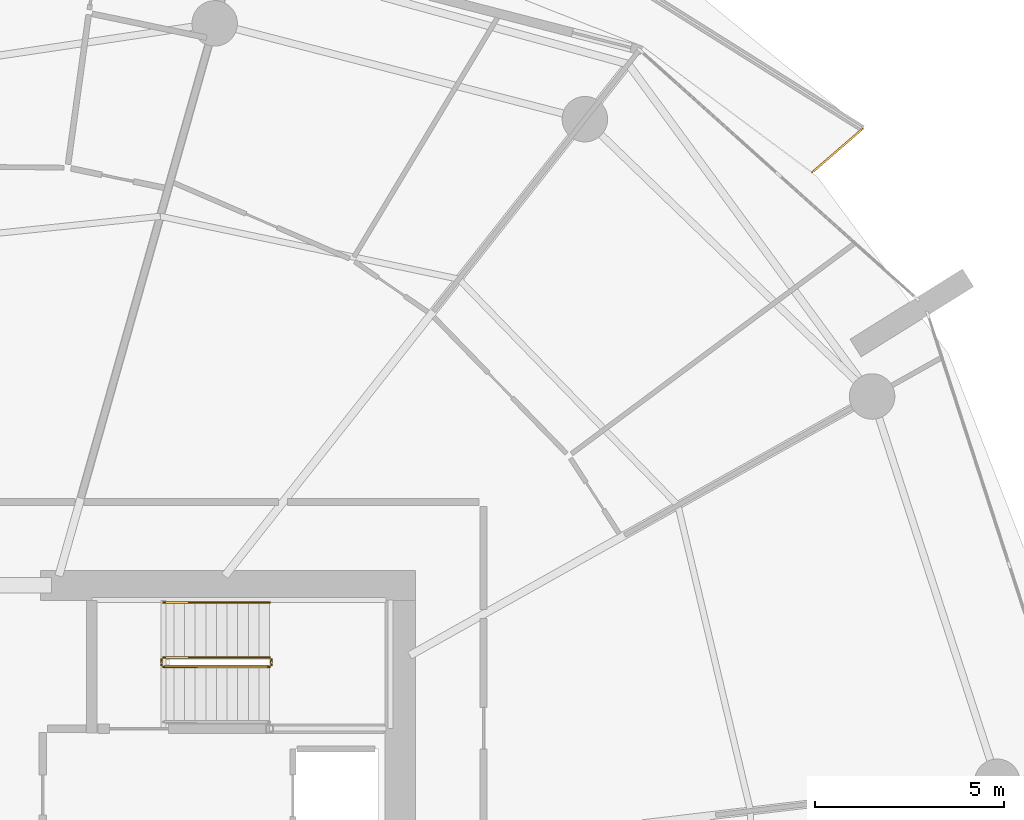
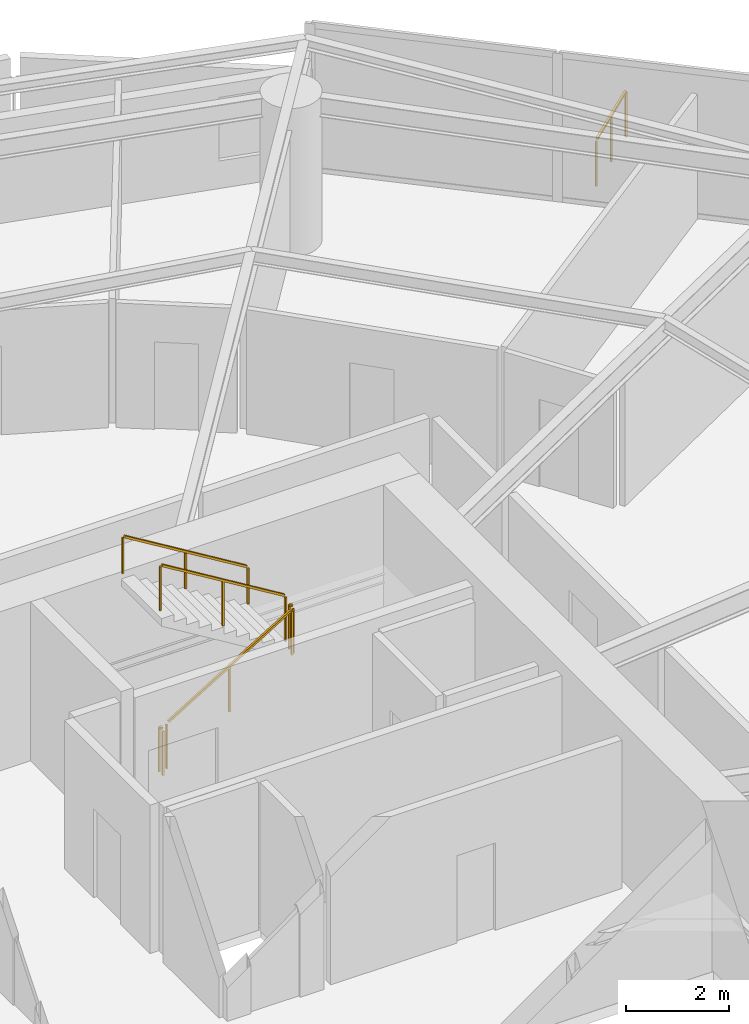
# One storey, part 21 of 22: 6 railings.
"""IFC4 building model written with IfcOpenShell, lengths in metres."""

import ifcopenshell
import ifcopenshell.guid

model = None  # the IFC model being written
_history = None  # IfcOwnerHistory: only IFC2X3 demands one
_inside = {}  # id of a spatial element -> (the spatial element, [elements in it])
_under = {}  # id of a project, library or spatial element -> (it, [spatial elements below it])
_declared = {}  # id of a project -> (the project, [libraries it declares])
_typed = {}  # id of a type object -> (the type object, [elements of that type])
_made_of = {}  # id of a material, layer set ... -> (it, [elements and type objects made of it])


def new_model(schema):
    """Start an empty IFC model of exactly this schema.

    Asked for "IFC4X3", IfcOpenShell would pick the latest addendum, in which some entities
    have other attributes; the version numbers below select the first issue.
    IFC2X3 requires an IfcOwnerHistory on every rooted entity: one is made here for all.
    """
    global model, _history
    if schema == "IFC4X3":
        model = ifcopenshell.file(schema_version=(4, 3, 0, 0))
    else:
        model = ifcopenshell.file(schema=schema)
    _inside.clear()
    _under.clear()
    _declared.clear()
    _typed.clear()
    _made_of.clear()
    _history = None
    if model.schema == "IFC2X3":
        org = make("IfcOrganization", Name="unknown")
        user = make(
            "IfcPersonAndOrganization",
            ThePerson=make("IfcPerson", FamilyName="unknown"),
            TheOrganization=org,
        )
        app = make(
            "IfcApplication",
            ApplicationDeveloper=org,
            Version="unknown",
            ApplicationFullName="unknown",
            ApplicationIdentifier="unknown",
        )
        _history = make(
            "IfcOwnerHistory",
            OwningUser=user,
            OwningApplication=app,
            ChangeAction="ADDED",
            CreationDate=0,
        )
    return model


def make(cls, **values):
    """One entity of the class cls with the attributes given. An attribute that is None is left unset."""
    return model.create_entity(
        cls, **{name: value for name, value in values.items() if value is not None}
    )


def rooted(cls, **values):
    """An entity with a GlobalId (a new one), such as an element, a storey or a relation."""
    return make(cls, GlobalId=ifcopenshell.guid.new(), OwnerHistory=_history, **values)


def si_unit(unit_type, name, prefix=None):
    """IfcSIUnit, for example si_unit("LENGTHUNIT", "METRE", prefix="MILLI")."""
    return make("IfcSIUnit", UnitType=unit_type, Prefix=prefix, Name=name)


def assignment(units):
    """IfcUnitAssignment: the units of a project."""
    return None if units is None else make("IfcUnitAssignment", Units=units)


def point(xyz):
    """IfcCartesianPoint."""
    return None if xyz is None else make("IfcCartesianPoint", Coordinates=xyz)


def direction(xyz):
    """IfcDirection."""
    return None if xyz is None else make("IfcDirection", DirectionRatios=xyz)


def frame(location, z_axis=None, x_axis=None):
    """IfcAxis2Placement3D, a coordinate frame: its origin and axes. An axis left out is left unset."""
    return make(
        "IfcAxis2Placement3D",
        Location=point(location),
        Axis=direction(z_axis),
        RefDirection=direction(x_axis),
    )


def frame_2d(location, x_axis=None):
    """IfcAxis2Placement2D, a coordinate frame in the plane: its origin and x axis."""
    return make(
        "IfcAxis2Placement2D", Location=point(location), RefDirection=direction(x_axis)
    )


def origin():
    """The frame at (0, 0, 0) with its axes left unset."""
    return frame((0.0, 0.0, 0.0))


def origin_2d():
    """The frame at (0, 0) in the plane with its x axis left unset."""
    return frame_2d((0.0, 0.0))


def place(relative_to, where):
    """IfcLocalPlacement: puts the frame where relative to a parent placement (None: the world)."""
    return make(
        "IfcLocalPlacement", PlacementRelTo=relative_to, RelativePlacement=where
    )


def context(
    kind, dimensions, precision=None, world=None, true_north=None, identifier=None
):
    """IfcGeometricRepresentationContext, for example the 3D "Model" context."""
    return make(
        "IfcGeometricRepresentationContext",
        ContextIdentifier=identifier,
        ContextType=kind,
        CoordinateSpaceDimension=dimensions,
        Precision=precision,
        WorldCoordinateSystem=world,
        TrueNorth=true_north,
    )


def subcontext(parent, identifier, kind, view, scale=None):
    """IfcGeometricRepresentationSubContext, for example "Body" below "Model"."""
    return make(
        "IfcGeometricRepresentationSubContext",
        ContextIdentifier=identifier,
        ContextType=kind,
        ParentContext=parent,
        TargetScale=scale,
        TargetView=view,
    )


def project(units=None, contexts=None):
    """IfcProject with its units and contexts."""
    return rooted(
        "IfcProject",
        Name="project",
        RepresentationContexts=contexts,
        UnitsInContext=assignment(units),
    )


def spatial(cls, under=None, at=None, **own):
    """A site, building, storey or space (cls), placed at a placement, below another one or the project."""
    s = rooted(cls, ObjectPlacement=at, **own)
    if under is not None:
        _under.setdefault(under.id(), (under, []))[1].append(s)
    return s


def profile(cls, at=None, kind="AREA", **sizes):
    """A parametric profile (cls). Its sizes go by their IFC names, for example OverallWidth=200.0."""
    return make(cls, ProfileType=kind, Position=at, **sizes)


def rectangle(**sizes):
    """IfcRectangleProfileDef."""
    return profile("IfcRectangleProfileDef", **sizes)


def extrude(swept, where, along, depth):
    """IfcExtrudedAreaSolid: the profile swept, set in the frame where, extruded along a direction by depth."""
    return make(
        "IfcExtrudedAreaSolid",
        SweptArea=swept,
        Position=where,
        ExtrudedDirection=direction(along),
        Depth=depth,
    )


def shape(context_of_items, identifier, shape_type, items):
    """IfcShapeRepresentation: the items that make up one representation, for example the "Body"."""
    return make(
        "IfcShapeRepresentation",
        ContextOfItems=context_of_items,
        RepresentationIdentifier=identifier,
        RepresentationType=shape_type,
        Items=items,
    )


def material(Name=None, Category=None):
    """IfcMaterial."""
    return make("IfcMaterial", Name=Name, Category=Category)


def made_of(thing, what):
    """Note that an element or type object is made of a material, layer set ...; save() writes the relation."""
    if what is not None:
        _made_of.setdefault(what.id(), (what, []))[1].append(thing)
    return thing


def type_object(cls, material=None, **own):
    """A type object (cls), such as IfcWallType, which elements share."""
    return made_of(rooted(cls, **own), material)


def element(
    cls,
    number,
    at=None,
    inside=None,
    cuts=None,
    type_object=None,
    material=None,
    context=None,
    identifier="Body",
    shape_type=None,
    held_by="IfcProductDefinitionShape",
    body=None,
    shapes=None,
    **own,
):
    """One element of the class cls, such as IfcWall. Its Tag is "e" and its number.

    at: its placement. inside: the storey or other place that contains it. cuts: it is an
    opening in that element (IfcRelVoidsElement). A single representation is given by context,
    identifier, shape_type and body (its items); several are given by shapes. held_by: the class
    of the entity that holds the representations. save() writes the other relations.
    """
    e = rooted(cls, Tag="e%d" % number, ObjectPlacement=at, **own)
    if body is not None:
        shapes = [shape(context, identifier, shape_type, body)]
    if shapes is not None:
        e.Representation = make(held_by, Representations=shapes)
    if inside is not None:
        _inside.setdefault(inside.id(), (inside, []))[1].append(e)
    if cuts is not None:
        rooted(
            "IfcRelVoidsElement", RelatingBuildingElement=cuts, RelatedOpeningElement=e
        )
    if type_object is not None:
        _typed.setdefault(type_object.id(), (type_object, []))[1].append(e)
    return made_of(e, material)


def aggregate(whole, parts):
    """IfcRelAggregates: a whole, such as a stair, and the parts it consists of."""
    return rooted("IfcRelAggregates", RelatingObject=whole, RelatedObjects=parts)


def save(model, path):
    """Write the relations noted so far, then the file.

    IfcRelAggregates (storeys below a building ...), IfcRelContainedInSpatialStructure (elements
    in a storey), IfcRelDefinesByType, IfcRelAssociatesMaterial and IfcRelDeclares: one each for
    every whole, place, type object, material and project.
    """
    for whole, parts in _under.values():
        aggregate(whole, parts)
    for where, things in _inside.values():
        rooted(
            "IfcRelContainedInSpatialStructure",
            RelatedElements=things,
            RelatingStructure=where,
        )
    for kind, things in _typed.values():
        rooted("IfcRelDefinesByType", RelatedObjects=things, RelatingType=kind)
    for what, things in _made_of.values():
        rooted("IfcRelAssociatesMaterial", RelatedObjects=things, RelatingMaterial=what)
    for by, libraries in _declared.values():
        rooted("IfcRelDeclares", RelatingContext=by, RelatedDefinitions=libraries)
    model.write(path)


model = new_model("IFC4")

# Units and contexts
model_context = context("Model", 3, precision=1e-05, world=origin(), true_north=direction((0.0, 1.0)))
body_context = subcontext(model_context, "Body", "Model", "MODEL_VIEW")
ifc_project = project(units=[si_unit("LENGTHUNIT", "METRE"), si_unit("AREAUNIT", "SQUARE_METRE"), si_unit("VOLUMEUNIT", "CUBIC_METRE"), si_unit("PLANEANGLEUNIT", "RADIAN"), si_unit("MASSUNIT", "GRAM", prefix="KILO")], contexts=[model_context])

# Site, building, storey
site_placement = place(None, origin())
site = spatial("IfcSite", under=ifc_project, at=site_placement, CompositionType="ELEMENT")
building_placement = place(site_placement, origin())
building = spatial("IfcBuilding", under=site, at=building_placement, Name="Kazma Halo Residences", CompositionType="ELEMENT")
storey_placement = place(building_placement, frame((0.0, 0.0, 93.89990234375)))
storey = spatial("IfcBuildingStorey", under=building, at=storey_placement, Name="L23", CompositionType="ELEMENT", Elevation=93.89990234375)

# Railings
ifc_material_1 = material(Name="Aluminium AW-6063 T6 Brushed Cap Rail", Category="aluminium")
railing_type_1 = type_object("IfcRailingType", Name="RLG-BAL-CAP-1120", PredefinedType="BALUSTRADE", material=ifc_material_1)
railing_1_placement = place(storey_placement, frame((70.323974609375, 61.303466796875, 0.0)))
element("IfcRailing", 1, at=railing_1_placement, inside=storey, type_object=railing_type_1, Name="L23 NE wave balcony guard 1", PredefinedType="BALUSTRADE", context=body_context, shape_type="SweptSolid", body=[
    extrude(rectangle(XDim=0.050048828125, YDim=0.050048828125, at=origin_2d()), frame((0.0322265625, 0.02783203125, 1.09521484375), z_axis=(0.756398434007, 0.654111159537, 0.0), x_axis=(-0.654111159537, 0.756398434007, 0.0)), (0.0, 0.0, 1.0), 1.674072265625),
    extrude(rectangle(XDim=0.0400390625, YDim=0.0400390625, at=origin_2d()), origin(), (0.0, 0.0, 1.0), 1.05810546875),
    extrude(rectangle(XDim=0.0400390625, YDim=0.0400390625, at=origin_2d()), frame((0.665283203125, 0.5751953125, 0.0)), (0.0, 0.0, 1.0), 1.05810546875),
    extrude(rectangle(XDim=0.0400390625, YDim=0.0400390625, at=origin_2d()), frame((1.33056640625, 1.150634765625, 0.0)), (0.0, 0.0, 1.0), 1.05810546875),
])
ifc_material_2 = material(Name="Painted Steel S355", Category="steel")
railing_type_2 = type_object("IfcRailingType", Name="RLG-STAIR-GRD-1100", PredefinedType="GUARDRAIL", material=ifc_material_2)
railing_2_placement = place(storey_placement, frame((53.199951171875, 48.25, 0.170654296875)))
element("IfcRailing", 2, at=railing_2_placement, inside=storey, type_object=railing_type_2, Name="L23 ST-02 stair guard 1", PredefinedType="GUARDRAIL", context=body_context, shape_type="SweptSolid", body=[
    extrude(rectangle(XDim=0.050048828125, YDim=0.050048828125, at=origin_2d()), frame((0.036376953125, 0.0, 1.09716796875), z_axis=(0.854202870247, 0.0, 0.519939858505), x_axis=(0.0, 1.0, 0.0)), (0.0, 0.0, 1.0), 3.19287109375),
    extrude(rectangle(XDim=0.0400390625, YDim=0.0400390625, at=origin_2d()), origin(), (0.0, 0.0, 1.0), 1.0380859375),
    extrude(rectangle(XDim=0.0400390625, YDim=0.0400390625, at=origin_2d()), frame((1.39990234375, 0.0, 0.85205078125)), (0.0, 0.0, 1.0), 1.0380859375),
    extrude(rectangle(XDim=0.0400390625, YDim=0.0400390625, at=origin_2d()), frame((2.800048828125, 0.0, 1.704345703125)), (0.0, 0.0, 1.0), 1.0380859375),
])
railing_3_placement = place(storey_placement, frame((56.050048828125, 48.300048828125, 1.875)))
element("IfcRailing", 3, at=railing_3_placement, inside=storey, type_object=railing_type_2, Name="L23 ST-02 stair guard 2", PredefinedType="GUARDRAIL", context=body_context, shape_type="SweptSolid", body=[
    extrude(rectangle(XDim=0.050048828125, YDim=0.050048828125, at=origin_2d()), frame((0.0, 0.04248046875, 1.0751953125), z_axis=(0.0, 1.0, 0.0), x_axis=(-1.0, 0.0, 0.0)), (0.0, 0.0, 1.0), 0.06494140625),
    extrude(rectangle(XDim=0.0400390625, YDim=0.0400390625, at=origin_2d()), origin(), (0.0, 0.0, 1.0), 1.0380859375),
    extrude(rectangle(XDim=0.0400390625, YDim=0.0400390625, at=origin_2d()), frame((0.0, 0.14990234375, 0.0)), (0.0, 0.0, 1.0), 1.0380859375),
])
railing_4_placement = place(storey_placement, frame((56.0, 48.5, 2.045654296875)))
element("IfcRailing", 4, at=railing_4_placement, inside=storey, type_object=railing_type_2, Name="L23 ST-02 stair guard 3", PredefinedType="GUARDRAIL", context=body_context, shape_type="SweptSolid", body=[
    extrude(rectangle(XDim=0.050048828125, YDim=0.050048828125, at=origin_2d()), frame((-0.036376953125, 0.0, 1.09716796875), z_axis=(-0.854202870247, 0.0, 0.519939858505), x_axis=(0.0, -1.0, 0.0)), (0.0, 0.0, 1.0), 3.19287109375),
    extrude(rectangle(XDim=0.0400390625, YDim=0.0400390625, at=origin_2d()), origin(), (0.0, 0.0, 1.0), 1.0380859375),
    extrude(rectangle(XDim=0.0400390625, YDim=0.0400390625, at=origin_2d()), frame((-1.39990234375, 0.0, 0.85205078125)), (0.0, 0.0, 1.0), 1.0380859375),
    extrude(rectangle(XDim=0.0400390625, YDim=0.0400390625, at=origin_2d()), frame((-2.800048828125, 0.0, 1.704345703125)), (0.0, 0.0, 1.0), 1.0380859375),
])
railing_5_placement = place(storey_placement, frame((53.14990234375, 48.300048828125, 0.0)))
element("IfcRailing", 5, at=railing_5_placement, inside=storey, type_object=railing_type_2, Name="L23 ST-02 stair guard 4", PredefinedType="GUARDRAIL", context=body_context, shape_type="SweptSolid", body=[
    extrude(rectangle(XDim=0.050048828125, YDim=0.050048828125, at=origin_2d()), frame((0.0, 0.04248046875, 1.0751953125), z_axis=(0.0, 1.0, 0.0), x_axis=(-1.0, 0.0, 0.0)), (0.0, 0.0, 1.0), 0.06494140625),
    extrude(rectangle(XDim=0.0400390625, YDim=0.0400390625, at=origin_2d()), origin(), (0.0, 0.0, 1.0), 1.0380859375),
    extrude(rectangle(XDim=0.0400390625, YDim=0.0400390625, at=origin_2d()), frame((0.0, 0.14990234375, 0.0)), (0.0, 0.0, 1.0), 1.0380859375),
])
ifc_material_3 = material(Name="Brushed Stainless Steel", Category="steel")
railing_type_3 = type_object("IfcRailingType", Name="RLG-STAIR-HND-900", PredefinedType="HANDRAIL", material=ifc_material_3)
railing_6_placement = place(storey_placement, frame((56.0, 49.949951171875, 2.045654296875)))
element("IfcRailing", 6, at=railing_6_placement, inside=storey, type_object=railing_type_3, Name="L23 ST-02 stair handrail 2", PredefinedType="HANDRAIL", context=body_context, shape_type="SweptSolid", body=[
    extrude(rectangle(XDim=0.050048828125, YDim=0.050048828125, at=origin_2d()), frame((-0.036376953125, 0.0, 0.89697265625), z_axis=(-0.854202870247, 0.0, 0.519939858505), x_axis=(0.0, -1.0, 0.0)), (0.0, 0.0, 1.0), 3.19287109375),
    extrude(rectangle(XDim=0.0400390625, YDim=0.0400390625, at=origin_2d()), origin(), (0.0, 0.0, 1.0), 0.837890625),
    extrude(rectangle(XDim=0.0400390625, YDim=0.0400390625, at=origin_2d()), frame((-1.39990234375, 0.0, 0.85205078125)), (0.0, 0.0, 1.0), 0.837890625),
    extrude(rectangle(XDim=0.0400390625, YDim=0.0400390625, at=origin_2d()), frame((-2.800048828125, 0.0, 1.704345703125)), (0.0, 0.0, 1.0), 0.837890625),
])

save(model, "model.ifc")
